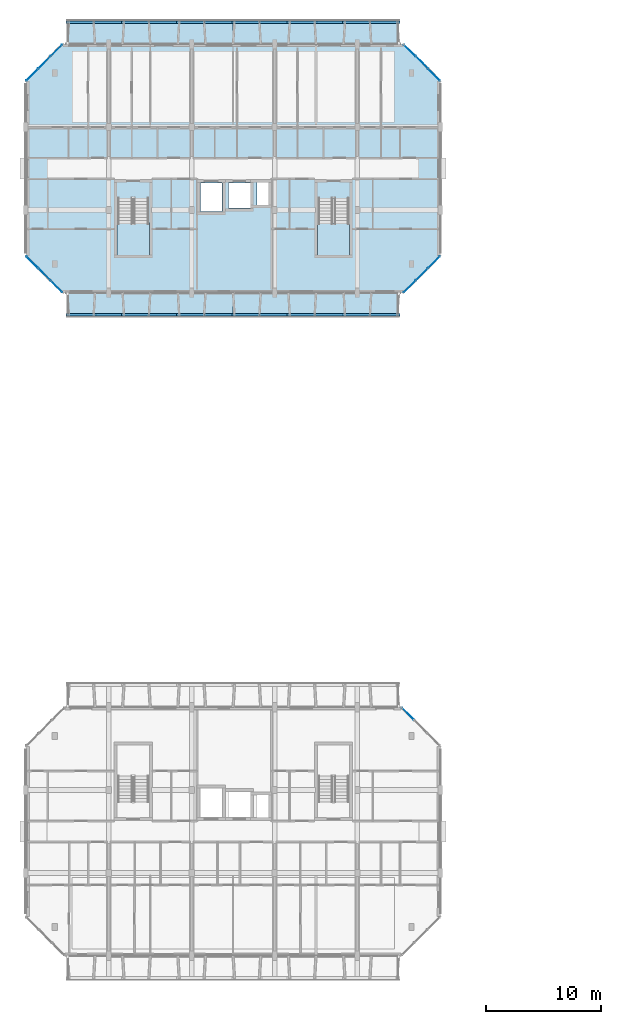
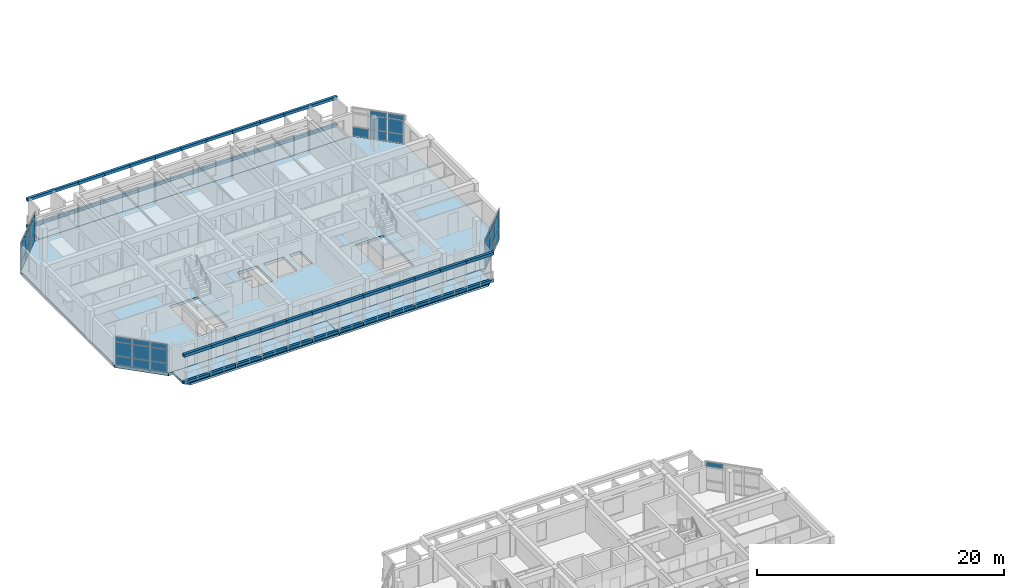
# One storey, part 12 of 46: 83 plates, 7 slabs, 7 elements without a shape of their own.
"""IFC4 building model written with IfcOpenShell, lengths in metres."""

from ifc_helpers import new_model, si_unit, direction, frame, origin, origin_2d, place, context, subcontext, project, spatial, polyline, rectangle, outline, extrude, material, layer, layer_set, type_object, element, aggregate, save


model = new_model("IFC4")

# Units and contexts
model_context = context("Model", 3, precision=1e-05, world=origin(), true_north=direction((0.0, 1.0)))
body_context = subcontext(model_context, "Body", "Model", "MODEL_VIEW")
ifc_project = project(units=[si_unit("LENGTHUNIT", "METRE"), si_unit("AREAUNIT", "SQUARE_METRE"), si_unit("VOLUMEUNIT", "CUBIC_METRE"), si_unit("PLANEANGLEUNIT", "RADIAN"), si_unit("MASSUNIT", "GRAM", prefix="KILO")], contexts=[model_context])

# Site, building, storey
site_placement = place(None, origin())
site = spatial("IfcSite", under=ifc_project, at=site_placement, CompositionType="ELEMENT")
building_placement = place(site_placement, origin())
building = spatial("IfcBuilding", under=site, at=building_placement, Name="Ochrevale Crest", CompositionType="ELEMENT")
storey_placement = place(building_placement, frame((0.0, 0.0, 24.449951171875)))
storey = spatial("IfcBuildingStorey", under=building, at=storey_placement, Name="L07", CompositionType="ELEMENT", Elevation=24.449951171875)

# Curtain wall, plates
ifc_material_1 = material(Name="Anodised aluminium 6063-T5", Category="aluminium")
ifc_layer_1 = layer(ifc_material_1, 0.14990234375)
ifc_layer_set_1 = layer_set([ifc_layer_1], Name="Anodised aluminium 6063-T5")
curtain_wall_type_1 = type_object("IfcCurtainWallType", Name="CW-WG-420x285", PredefinedType="NOTDEFINED", material=ifc_layer_set_1)
curtain_wall_1_placement = place(storey_placement, origin())
curtain_wall_1 = element("IfcCurtainWall", 1, at=curtain_wall_1_placement, inside=storey, type_object=curtain_wall_type_1, Name="Block B L07 chamfered corner wintergarden curtain wall 2", PredefinedType="NOTDEFINED")
ifc_material_2 = material(Name="Double-glazed low-E insulated glass unit", Category="glass")
ifc_layer_2 = layer(ifc_material_2, 0.028076171875)
ifc_layer_set_2 = layer_set([ifc_layer_2], Name="Double-glazed low-E insulated glass unit")
plate_type_1 = type_object("IfcPlateType", Name="CW-PNL-IGU28", PredefinedType="CURTAIN_PANEL", material=ifc_layer_set_2)
plate_1_placement = place(storey_placement, frame((33.3466796875, 72.546630859375, 0.06005859375), z_axis=(0.0, 0.0, 1.0), x_axis=(0.707106781187, 0.707106781187, 0.0)))
plate_1 = element("IfcPlate", 2, at=plate_1_placement, type_object=plate_type_1, Name="CW22 panel 1.1", PredefinedType="CURTAIN_PANEL", context=body_context, shape_type="SweptSolid", body=[
    extrude(rectangle(XDim=1.39599609375, YDim=0.028076171875, at=origin_2d()), origin(), (0.0, 0.0, 1.0), 0.860107421875),
])
plate_2_placement = place(storey_placement, frame((33.3466796875, 72.546630859375, 0.97998046875), z_axis=(0.0, 0.0, 1.0), x_axis=(0.707106781187, 0.707106781187, 0.0)))
plate_2 = element("IfcPlate", 3, at=plate_2_placement, type_object=plate_type_1, Name="CW22 panel 1.2", PredefinedType="CURTAIN_PANEL", context=body_context, shape_type="SweptSolid", body=[
    extrude(rectangle(XDim=1.39599609375, YDim=0.028076171875, at=origin_2d()), origin(), (0.0, 0.0, 1.0), 1.31494140625),
])
plate_3_placement = place(storey_placement, frame((33.3466796875, 72.546630859375, 2.35498046875), z_axis=(0.0, 0.0, 1.0), x_axis=(0.707106781187, 0.707106781187, 0.0)))
plate_3 = element("IfcPlate", 4, at=plate_3_placement, type_object=plate_type_1, Name="CW22 panel 1.3", PredefinedType="CURTAIN_PANEL", context=body_context, shape_type="SweptSolid", body=[
    extrude(rectangle(XDim=1.39599609375, YDim=0.028076171875, at=origin_2d()), origin(), (0.0, 0.0, 1.0), 0.4599609375),
])
plate_4_placement = place(storey_placement, frame((34.39990234375, 73.60009765625, 0.06005859375), z_axis=(0.0, 0.0, 1.0), x_axis=(0.707106781187, 0.707106781187, 0.0)))
plate_4 = element("IfcPlate", 5, at=plate_4_placement, type_object=plate_type_1, Name="CW22 panel 2.1", PredefinedType="CURTAIN_PANEL", context=body_context, shape_type="SweptSolid", body=[
    extrude(rectangle(XDim=1.43359375, YDim=0.028076171875, at=origin_2d()), origin(), (0.0, 0.0, 1.0), 0.860107421875),
])
plate_5_placement = place(storey_placement, frame((34.39990234375, 73.60009765625, 0.97998046875), z_axis=(0.0, 0.0, 1.0), x_axis=(0.707106781187, 0.707106781187, 0.0)))
plate_5 = element("IfcPlate", 6, at=plate_5_placement, type_object=plate_type_1, Name="CW22 panel 2.2", PredefinedType="CURTAIN_PANEL", context=body_context, shape_type="SweptSolid", body=[
    extrude(rectangle(XDim=1.43359375, YDim=0.028076171875, at=origin_2d()), origin(), (0.0, 0.0, 1.0), 1.31494140625),
])
plate_6_placement = place(storey_placement, frame((34.39990234375, 73.60009765625, 2.35498046875), z_axis=(0.0, 0.0, 1.0), x_axis=(0.707106781187, 0.707106781187, 0.0)))
plate_6 = element("IfcPlate", 7, at=plate_6_placement, type_object=plate_type_1, Name="CW22 panel 2.3", PredefinedType="CURTAIN_PANEL", context=body_context, shape_type="SweptSolid", body=[
    extrude(rectangle(XDim=1.43359375, YDim=0.028076171875, at=origin_2d()), origin(), (0.0, 0.0, 1.0), 0.4599609375),
])
plate_7_placement = place(storey_placement, frame((35.453369140625, 74.6533203125, 0.06005859375), z_axis=(0.0, 0.0, 1.0), x_axis=(0.707106781187, 0.707106781187, 0.0)))
plate_7 = element("IfcPlate", 8, at=plate_7_placement, type_object=plate_type_1, Name="CW22 panel 3.1", PredefinedType="CURTAIN_PANEL", context=body_context, shape_type="SweptSolid", body=[
    extrude(rectangle(XDim=1.39599609375, YDim=0.028076171875, at=origin_2d()), origin(), (0.0, 0.0, 1.0), 0.860107421875),
])
plate_8_placement = place(storey_placement, frame((35.453369140625, 74.6533203125, 0.97998046875), z_axis=(0.0, 0.0, 1.0), x_axis=(0.707106781187, 0.707106781187, 0.0)))
plate_8 = element("IfcPlate", 9, at=plate_8_placement, type_object=plate_type_1, Name="CW22 panel 3.2", PredefinedType="CURTAIN_PANEL", context=body_context, shape_type="SweptSolid", body=[
    extrude(rectangle(XDim=1.39599609375, YDim=0.028076171875, at=origin_2d()), origin(), (0.0, 0.0, 1.0), 1.31494140625),
])
plate_9_placement = place(storey_placement, frame((35.453369140625, 74.6533203125, 2.35498046875), z_axis=(0.0, 0.0, 1.0), x_axis=(0.707106781187, 0.707106781187, 0.0)))
plate_9 = element("IfcPlate", 10, at=plate_9_placement, type_object=plate_type_1, Name="CW22 panel 3.3", PredefinedType="CURTAIN_PANEL", context=body_context, shape_type="SweptSolid", body=[
    extrude(rectangle(XDim=1.39599609375, YDim=0.028076171875, at=origin_2d()), origin(), (0.0, 0.0, 1.0), 0.4599609375),
])
aggregate(curtain_wall_1, [plate_1, plate_2, plate_3, plate_4, plate_5, plate_6, plate_7, plate_8, plate_9])

ifc_layer_3 = layer(ifc_material_1, 0.14990234375)
ifc_layer_set_3 = layer_set([ifc_layer_3], Name="Anodised aluminium 6063-T5")
curtain_wall_type_2 = type_object("IfcCurtainWallType", Name="CW-WG-240x285", PredefinedType="NOTDEFINED", material=ifc_layer_set_3)
curtain_wall_2_placement = place(storey_placement, origin())
curtain_wall_2 = element("IfcCurtainWall", 11, at=curtain_wall_2_placement, inside=storey, type_object=curtain_wall_type_2, Name="Block B L07 chamfered corner wintergarden curtain wall 8", PredefinedType="NOTDEFINED")
plate_10_placement = place(storey_placement, frame((0.546630859375, 74.6533203125, 0.06005859375), z_axis=(0.0, 0.0, 1.0), x_axis=(0.707106781187, -0.707106781187, 0.0)))
plate_10 = element("IfcPlate", 12, at=plate_10_placement, type_object=plate_type_1, Name="CW15 panel 1.1", PredefinedType="CURTAIN_PANEL", context=body_context, shape_type="SweptSolid", body=[
    extrude(rectangle(XDim=1.39599609375, YDim=0.028076171875, at=origin_2d()), origin(), (0.0, 0.0, 1.0), 0.860107421875),
])
plate_11_placement = place(storey_placement, frame((0.546630859375, 74.6533203125, 0.97998046875), z_axis=(0.0, 0.0, 1.0), x_axis=(0.707106781187, -0.707106781187, 0.0)))
plate_11 = element("IfcPlate", 13, at=plate_11_placement, type_object=plate_type_1, Name="CW15 panel 1.2", PredefinedType="CURTAIN_PANEL", context=body_context, shape_type="SweptSolid", body=[
    extrude(rectangle(XDim=1.39599609375, YDim=0.028076171875, at=origin_2d()), origin(), (0.0, 0.0, 1.0), 1.31494140625),
])
plate_12_placement = place(storey_placement, frame((0.546630859375, 74.6533203125, 2.35498046875), z_axis=(0.0, 0.0, 1.0), x_axis=(0.707106781187, -0.707106781187, 0.0)))
plate_12 = element("IfcPlate", 14, at=plate_12_placement, type_object=plate_type_1, Name="CW15 panel 1.3", PredefinedType="CURTAIN_PANEL", context=body_context, shape_type="SweptSolid", body=[
    extrude(rectangle(XDim=1.39599609375, YDim=0.028076171875, at=origin_2d()), origin(), (0.0, 0.0, 1.0), 0.4599609375),
])
plate_13_placement = place(storey_placement, frame((1.60009765625, 73.60009765625, 0.06005859375), z_axis=(0.0, 0.0, 1.0), x_axis=(0.707106781187, -0.707106781187, 0.0)))
plate_13 = element("IfcPlate", 15, at=plate_13_placement, type_object=plate_type_1, Name="CW15 panel 2.1", PredefinedType="CURTAIN_PANEL", context=body_context, shape_type="SweptSolid", body=[
    extrude(rectangle(XDim=1.43359375, YDim=0.028076171875, at=origin_2d()), origin(), (0.0, 0.0, 1.0), 0.860107421875),
])
plate_14_placement = place(storey_placement, frame((1.60009765625, 73.60009765625, 0.97998046875), z_axis=(0.0, 0.0, 1.0), x_axis=(0.707106781187, -0.707106781187, 0.0)))
plate_14 = element("IfcPlate", 16, at=plate_14_placement, type_object=plate_type_1, Name="CW15 panel 2.2", PredefinedType="CURTAIN_PANEL", context=body_context, shape_type="SweptSolid", body=[
    extrude(rectangle(XDim=1.43359375, YDim=0.028076171875, at=origin_2d()), origin(), (0.0, 0.0, 1.0), 1.31494140625),
])
plate_15_placement = place(storey_placement, frame((1.60009765625, 73.60009765625, 2.35498046875), z_axis=(0.0, 0.0, 1.0), x_axis=(0.707106781187, -0.707106781187, 0.0)))
plate_15 = element("IfcPlate", 17, at=plate_15_placement, type_object=plate_type_1, Name="CW15 panel 2.3", PredefinedType="CURTAIN_PANEL", context=body_context, shape_type="SweptSolid", body=[
    extrude(rectangle(XDim=1.43359375, YDim=0.028076171875, at=origin_2d()), origin(), (0.0, 0.0, 1.0), 0.4599609375),
])
plate_16_placement = place(storey_placement, frame((2.6533203125, 72.546630859375, 0.06005859375), z_axis=(0.0, 0.0, 1.0), x_axis=(0.707106781187, -0.707106781187, 0.0)))
plate_16 = element("IfcPlate", 18, at=plate_16_placement, type_object=plate_type_1, Name="CW15 panel 3.1", PredefinedType="CURTAIN_PANEL", context=body_context, shape_type="SweptSolid", body=[
    extrude(rectangle(XDim=1.39599609375, YDim=0.028076171875, at=origin_2d()), origin(), (0.0, 0.0, 1.0), 0.860107421875),
])
plate_17_placement = place(storey_placement, frame((2.6533203125, 72.546630859375, 0.97998046875), z_axis=(0.0, 0.0, 1.0), x_axis=(0.707106781187, -0.707106781187, 0.0)))
plate_17 = element("IfcPlate", 19, at=plate_17_placement, type_object=plate_type_1, Name="CW15 panel 3.2", PredefinedType="CURTAIN_PANEL", context=body_context, shape_type="SweptSolid", body=[
    extrude(rectangle(XDim=1.39599609375, YDim=0.028076171875, at=origin_2d()), origin(), (0.0, 0.0, 1.0), 1.31494140625),
])
plate_18_placement = place(storey_placement, frame((2.6533203125, 72.546630859375, 2.35498046875), z_axis=(0.0, 0.0, 1.0), x_axis=(0.707106781187, -0.707106781187, 0.0)))
plate_18 = element("IfcPlate", 20, at=plate_18_placement, type_object=plate_type_1, Name="CW15 panel 3.3", PredefinedType="CURTAIN_PANEL", context=body_context, shape_type="SweptSolid", body=[
    extrude(rectangle(XDim=1.39599609375, YDim=0.028076171875, at=origin_2d()), origin(), (0.0, 0.0, 1.0), 0.4599609375),
])
aggregate(curtain_wall_2, [plate_10, plate_11, plate_12, plate_13, plate_14, plate_15, plate_16, plate_17, plate_18])

# Curtain wall, plate
ifc_layer_4 = layer(ifc_material_1, 0.14990234375)
ifc_layer_set_4 = layer_set([ifc_layer_4], Name="Anodised aluminium 6063-T5")
curtain_wall_type_3 = type_object("IfcCurtainWallType", Name="CW-WG-280x285", PredefinedType="NOTDEFINED", material=ifc_layer_set_4)
curtain_wall_3_placement = place(storey_placement, origin())
curtain_wall_3 = element("IfcCurtainWall", 21, at=curtain_wall_3_placement, inside=storey, type_object=curtain_wall_type_3, Name="Block A L07 chamfered corner wintergarden curtain wall 4", PredefinedType="NOTDEFINED")
ifc_material_3 = material(Name="Acoustic laminated low-E insulated glass unit", Category="glass")
ifc_layer_5 = layer(ifc_material_3, 0.0380859375)
ifc_layer_set_5 = layer_set([ifc_layer_5], Name="Acoustic laminated low-E insulated glass unit")
plate_type_2 = type_object("IfcPlateType", Name="CW-PNL-IGU38", PredefinedType="CURTAIN_PANEL", material=ifc_layer_set_5)
plate_19_placement = place(storey_placement, frame((33.179931640625, 35.420166015625, 2.35498046875), z_axis=(0.0, 0.0, 1.0), x_axis=(-0.707106781187, 0.707106781187, 0.0)))
plate_19 = element("IfcPlate", 22, at=plate_19_placement, type_object=plate_type_2, Name="CW16 panel 3.3", PredefinedType="CURTAIN_PANEL", context=body_context, shape_type="SweptSolid", body=[
    extrude(rectangle(XDim=1.490234375, YDim=0.0380859375, at=origin_2d()), origin(), (0.0, 0.0, 1.0), 0.4599609375),
])
aggregate(curtain_wall_3, [plate_19])

# Curtain wall, plates
curtain_wall_4_placement = place(storey_placement, origin())
curtain_wall_4 = element("IfcCurtainWall", 23, at=curtain_wall_4_placement, inside=storey, type_object=curtain_wall_type_3, Name="Block B L07 chamfered corner wintergarden curtain wall 4", PredefinedType="NOTDEFINED")
plate_20_placement = place(storey_placement, frame((35.453369140625, 90.946533203125, 0.06005859375), z_axis=(0.0, 0.0, 1.0), x_axis=(-0.707106781187, 0.707106781187, 0.0)))
plate_20 = element("IfcPlate", 24, at=plate_20_placement, type_object=plate_type_2, Name="CW16 panel 1.1", PredefinedType="CURTAIN_PANEL", context=body_context, shape_type="SweptSolid", body=[
    extrude(rectangle(XDim=1.39599609375, YDim=0.0380859375, at=origin_2d()), origin(), (0.0, 0.0, 1.0), 0.860107421875),
])
plate_21_placement = place(storey_placement, frame((35.453369140625, 90.946533203125, 0.97998046875), z_axis=(0.0, 0.0, 1.0), x_axis=(-0.707106781187, 0.707106781187, 0.0)))
plate_21 = element("IfcPlate", 25, at=plate_21_placement, type_object=plate_type_2, Name="CW16 panel 1.2", PredefinedType="CURTAIN_PANEL", context=body_context, shape_type="SweptSolid", body=[
    extrude(rectangle(XDim=1.39599609375, YDim=0.0380859375, at=origin_2d()), origin(), (0.0, 0.0, 1.0), 1.31494140625),
])
plate_22_placement = place(storey_placement, frame((35.453369140625, 90.946533203125, 2.35498046875), z_axis=(0.0, 0.0, 1.0), x_axis=(-0.707106781187, 0.707106781187, 0.0)))
plate_22 = element("IfcPlate", 26, at=plate_22_placement, type_object=plate_type_2, Name="CW16 panel 1.3", PredefinedType="CURTAIN_PANEL", context=body_context, shape_type="SweptSolid", body=[
    extrude(rectangle(XDim=1.39599609375, YDim=0.0380859375, at=origin_2d()), origin(), (0.0, 0.0, 1.0), 0.4599609375),
])
plate_23_placement = place(storey_placement, frame((34.39990234375, 92.0, 0.06005859375), z_axis=(0.0, 0.0, 1.0), x_axis=(-0.707106781187, 0.707106781187, 0.0)))
plate_23 = element("IfcPlate", 27, at=plate_23_placement, type_object=plate_type_2, Name="CW16 panel 2.1", PredefinedType="CURTAIN_PANEL", context=body_context, shape_type="SweptSolid", body=[
    extrude(rectangle(XDim=1.43359375, YDim=0.0380859375, at=origin_2d()), origin(), (0.0, 0.0, 1.0), 0.860107421875),
])
plate_24_placement = place(storey_placement, frame((34.39990234375, 92.0, 0.97998046875), z_axis=(0.0, 0.0, 1.0), x_axis=(-0.707106781187, 0.707106781187, 0.0)))
plate_24 = element("IfcPlate", 28, at=plate_24_placement, type_object=plate_type_2, Name="CW16 panel 2.2", PredefinedType="CURTAIN_PANEL", context=body_context, shape_type="SweptSolid", body=[
    extrude(rectangle(XDim=1.43359375, YDim=0.0380859375, at=origin_2d()), origin(), (0.0, 0.0, 1.0), 1.31494140625),
])
plate_25_placement = place(storey_placement, frame((34.39990234375, 92.0, 2.35498046875), z_axis=(0.0, 0.0, 1.0), x_axis=(-0.707106781187, 0.707106781187, 0.0)))
plate_25 = element("IfcPlate", 29, at=plate_25_placement, type_object=plate_type_2, Name="CW16 panel 2.3", PredefinedType="CURTAIN_PANEL", context=body_context, shape_type="SweptSolid", body=[
    extrude(rectangle(XDim=1.43359375, YDim=0.0380859375, at=origin_2d()), origin(), (0.0, 0.0, 1.0), 0.4599609375),
])
plate_26_placement = place(storey_placement, frame((33.3466796875, 93.053466796875, 0.06005859375), z_axis=(0.0, 0.0, 1.0), x_axis=(-0.707106781187, 0.707106781187, 0.0)))
plate_26 = element("IfcPlate", 30, at=plate_26_placement, type_object=plate_type_2, Name="CW16 panel 3.1", PredefinedType="CURTAIN_PANEL", context=body_context, shape_type="SweptSolid", body=[
    extrude(rectangle(XDim=1.39599609375, YDim=0.0380859375, at=origin_2d()), origin(), (0.0, 0.0, 1.0), 0.860107421875),
])
aggregate(curtain_wall_4, [plate_20, plate_21, plate_22, plate_23, plate_24, plate_25, plate_26])

ifc_layer_6 = layer(ifc_material_1, 0.14990234375)
ifc_layer_set_6 = layer_set([ifc_layer_6], Name="Anodised aluminium 6063-T5")
curtain_wall_type_4 = type_object("IfcCurtainWallType", Name="CW-WG-360x285", PredefinedType="NOTDEFINED", material=ifc_layer_set_6)
curtain_wall_5_placement = place(storey_placement, origin())
curtain_wall_5 = element("IfcCurtainWall", 31, at=curtain_wall_5_placement, inside=storey, type_object=curtain_wall_type_4, Name="Block B L07 chamfered corner wintergarden curtain wall 6", PredefinedType="NOTDEFINED")
plate_27_placement = place(storey_placement, frame((2.6533203125, 93.053466796875, 0.06005859375), z_axis=(0.0, 0.0, 1.0), x_axis=(-0.707106781187, -0.707106781187, 0.0)))
plate_27 = element("IfcPlate", 32, at=plate_27_placement, type_object=plate_type_2, Name="CW18 panel 1.1", PredefinedType="CURTAIN_PANEL", context=body_context, shape_type="SweptSolid", body=[
    extrude(rectangle(XDim=1.39599609375, YDim=0.0380859375, at=origin_2d()), origin(), (0.0, 0.0, 1.0), 0.860107421875),
])
plate_28_placement = place(storey_placement, frame((2.6533203125, 93.053466796875, 0.97998046875), z_axis=(0.0, 0.0, 1.0), x_axis=(-0.707106781187, -0.707106781187, 0.0)))
plate_28 = element("IfcPlate", 33, at=plate_28_placement, type_object=plate_type_2, Name="CW18 panel 1.2", PredefinedType="CURTAIN_PANEL", context=body_context, shape_type="SweptSolid", body=[
    extrude(rectangle(XDim=1.39599609375, YDim=0.0380859375, at=origin_2d()), origin(), (0.0, 0.0, 1.0), 1.31494140625),
])
plate_29_placement = place(storey_placement, frame((2.6533203125, 93.053466796875, 2.35498046875), z_axis=(0.0, 0.0, 1.0), x_axis=(-0.707106781187, -0.707106781187, 0.0)))
plate_29 = element("IfcPlate", 34, at=plate_29_placement, type_object=plate_type_2, Name="CW18 panel 1.3", PredefinedType="CURTAIN_PANEL", context=body_context, shape_type="SweptSolid", body=[
    extrude(rectangle(XDim=1.39599609375, YDim=0.0380859375, at=origin_2d()), origin(), (0.0, 0.0, 1.0), 0.4599609375),
])
plate_30_placement = place(storey_placement, frame((1.60009765625, 92.0, 0.06005859375), z_axis=(0.0, 0.0, 1.0), x_axis=(-0.707106781187, -0.707106781187, 0.0)))
plate_30 = element("IfcPlate", 35, at=plate_30_placement, type_object=plate_type_2, Name="CW18 panel 2.1", PredefinedType="CURTAIN_PANEL", context=body_context, shape_type="SweptSolid", body=[
    extrude(rectangle(XDim=1.43359375, YDim=0.0380859375, at=origin_2d()), origin(), (0.0, 0.0, 1.0), 0.860107421875),
])
plate_31_placement = place(storey_placement, frame((1.60009765625, 92.0, 0.97998046875), z_axis=(0.0, 0.0, 1.0), x_axis=(-0.707106781187, -0.707106781187, 0.0)))
plate_31 = element("IfcPlate", 36, at=plate_31_placement, type_object=plate_type_2, Name="CW18 panel 2.2", PredefinedType="CURTAIN_PANEL", context=body_context, shape_type="SweptSolid", body=[
    extrude(rectangle(XDim=1.43359375, YDim=0.0380859375, at=origin_2d()), origin(), (0.0, 0.0, 1.0), 1.31494140625),
])
plate_32_placement = place(storey_placement, frame((1.60009765625, 92.0, 2.35498046875), z_axis=(0.0, 0.0, 1.0), x_axis=(-0.707106781187, -0.707106781187, 0.0)))
plate_32 = element("IfcPlate", 37, at=plate_32_placement, type_object=plate_type_2, Name="CW18 panel 2.3", PredefinedType="CURTAIN_PANEL", context=body_context, shape_type="SweptSolid", body=[
    extrude(rectangle(XDim=1.43359375, YDim=0.0380859375, at=origin_2d()), origin(), (0.0, 0.0, 1.0), 0.4599609375),
])
plate_33_placement = place(storey_placement, frame((0.546630859375, 90.946533203125, 0.06005859375), z_axis=(0.0, 0.0, 1.0), x_axis=(-0.707106781187, -0.707106781187, 0.0)))
plate_33 = element("IfcPlate", 38, at=plate_33_placement, type_object=plate_type_2, Name="CW18 panel 3.1", PredefinedType="CURTAIN_PANEL", context=body_context, shape_type="SweptSolid", body=[
    extrude(rectangle(XDim=1.39599609375, YDim=0.0380859375, at=origin_2d()), origin(), (0.0, 0.0, 1.0), 0.860107421875),
])
plate_34_placement = place(storey_placement, frame((0.546630859375, 90.946533203125, 0.97998046875), z_axis=(0.0, 0.0, 1.0), x_axis=(-0.707106781187, -0.707106781187, 0.0)))
plate_34 = element("IfcPlate", 39, at=plate_34_placement, type_object=plate_type_2, Name="CW18 panel 3.2", PredefinedType="CURTAIN_PANEL", context=body_context, shape_type="SweptSolid", body=[
    extrude(rectangle(XDim=1.39599609375, YDim=0.0380859375, at=origin_2d()), origin(), (0.0, 0.0, 1.0), 1.31494140625),
])
plate_35_placement = place(storey_placement, frame((0.546630859375, 90.946533203125, 2.35498046875), z_axis=(0.0, 0.0, 1.0), x_axis=(-0.707106781187, -0.707106781187, 0.0)))
plate_35 = element("IfcPlate", 40, at=plate_35_placement, type_object=plate_type_2, Name="CW18 panel 3.3", PredefinedType="CURTAIN_PANEL", context=body_context, shape_type="SweptSolid", body=[
    extrude(rectangle(XDim=1.39599609375, YDim=0.0380859375, at=origin_2d()), origin(), (0.0, 0.0, 1.0), 0.4599609375),
])
aggregate(curtain_wall_5, [plate_27, plate_28, plate_29, plate_30, plate_31, plate_32, plate_33, plate_34, plate_35])

# Plates
ifc_material_4 = material(Name="Precast concrete C40/50", Category="concrete")
ifc_layer_7 = layer(ifc_material_4, 0.06005859375)
ifc_layer_set_7 = layer_set([ifc_layer_7], Name="Precast concrete C40/50")
plate_type_3 = type_object("IfcPlateType", Name="PLT-HC-HEAD-60", PredefinedType="USERDEFINED", material=ifc_layer_set_7)
for number, where, z_axis, x_axis, name in (
    (41, (4.800048828125, 70.10009765625, 2.669921875), (0.0, 0.0, 1.0), (1.0, 0.0, 0.0), "Block B L07 S honeycomb arched lintel fascia 1"),
    (42, (7.199951171875, 70.10009765625, 2.669921875), (0.0, 0.0, 1.0), (1.0, 0.0, 0.0), "Block B L07 S honeycomb arched lintel fascia 2"),
    (43, (9.60009765625, 70.10009765625, 2.669921875), (0.0, 0.0, 1.0), (1.0, 0.0, 0.0), "Block B L07 S honeycomb arched lintel fascia 3"),
    (44, (12.0, 70.10009765625, 2.669921875), (0.0, 0.0, 1.0), (1.0, 0.0, 0.0), "Block B L07 S honeycomb arched lintel fascia 4"),
    (45, (14.39990234375, 70.10009765625, 2.669921875), (0.0, 0.0, 1.0), (1.0, 0.0, 0.0), "Block B L07 S honeycomb arched lintel fascia 5"),
    (46, (16.800048828125, 70.10009765625, 2.669921875), (0.0, 0.0, 1.0), (1.0, 0.0, 0.0), "Block B L07 S honeycomb arched lintel fascia 6"),
    (47, (19.199951171875, 70.10009765625, 2.669921875), (0.0, 0.0, 1.0), (1.0, 0.0, 0.0), "Block B L07 S honeycomb arched lintel fascia 7"),
    (48, (21.60009765625, 70.10009765625, 2.669921875), (0.0, 0.0, 1.0), (1.0, 0.0, 0.0), "Block B L07 S honeycomb arched lintel fascia 8"),
    (49, (24.0, 70.10009765625, 2.669921875), (0.0, 0.0, 1.0), (1.0, 0.0, 0.0), "Block B L07 S honeycomb arched lintel fascia 9"),
    (50, (26.39990234375, 70.10009765625, 2.669921875), (0.0, 0.0, 1.0), (1.0, 0.0, 0.0), "Block B L07 S honeycomb arched lintel fascia 10"),
    (51, (28.800048828125, 70.10009765625, 2.669921875), (0.0, 0.0, 1.0), (1.0, 0.0, 0.0), "Block B L07 S honeycomb arched lintel fascia 11"),
    (52, (31.199951171875, 70.10009765625, 2.669921875), (0.0, 0.0, 1.0), (1.0, 0.0, 0.0), "Block B L07 S honeycomb arched lintel fascia 12"),
    (53, (4.800048828125, 95.5, 2.669921875), (0.0, 0.0, 1.0), (1.0, 0.0, 0.0), "Block B L07 N honeycomb arched lintel fascia 1"),
    (54, (7.199951171875, 95.5, 2.669921875), (0.0, 0.0, 1.0), (1.0, 0.0, 0.0), "Block B L07 N honeycomb arched lintel fascia 2"),
    (55, (9.60009765625, 95.5, 2.669921875), (0.0, 0.0, 1.0), (1.0, 0.0, 0.0), "Block B L07 N honeycomb arched lintel fascia 3"),
    (56, (12.0, 95.5, 2.669921875), (0.0, 0.0, 1.0), (1.0, 0.0, 0.0), "Block B L07 N honeycomb arched lintel fascia 4"),
    (57, (14.39990234375, 95.5, 2.669921875), (0.0, 0.0, 1.0), (1.0, 0.0, 0.0), "Block B L07 N honeycomb arched lintel fascia 5"),
    (58, (16.800048828125, 95.5, 2.669921875), (0.0, 0.0, 1.0), (1.0, 0.0, 0.0), "Block B L07 N honeycomb arched lintel fascia 6"),
    (59, (19.199951171875, 95.5, 2.669921875), (0.0, 0.0, 1.0), (1.0, 0.0, 0.0), "Block B L07 N honeycomb arched lintel fascia 7"),
    (60, (21.60009765625, 95.5, 2.669921875), (0.0, 0.0, 1.0), (1.0, 0.0, 0.0), "Block B L07 N honeycomb arched lintel fascia 8"),
    (61, (24.0, 95.5, 2.669921875), (0.0, 0.0, 1.0), (1.0, 0.0, 0.0), "Block B L07 N honeycomb arched lintel fascia 9"),
    (62, (26.39990234375, 95.5, 2.669921875), (0.0, 0.0, 1.0), (1.0, 0.0, 0.0), "Block B L07 N honeycomb arched lintel fascia 10"),
    (63, (28.800048828125, 95.5, 2.669921875), (0.0, 0.0, 1.0), (1.0, 0.0, 0.0), "Block B L07 N honeycomb arched lintel fascia 11"),
    (64, (31.199951171875, 95.5, 2.669921875), (0.0, 0.0, 1.0), (1.0, 0.0, 0.0), "Block B L07 N honeycomb arched lintel fascia 12"),
):
    element("IfcPlate", number, at=place(storey_placement, frame(where, z_axis=z_axis, x_axis=x_axis)), inside=storey, type_object=plate_type_3, Name=name, ObjectType="FACADE FASCIA PLATE", PredefinedType="USERDEFINED", context=body_context, shape_type="SweptSolid", body=[
        extrude(rectangle(XDim=2.60009765625, YDim=0.239990234375, at=origin_2d()), origin(), (0.0, 0.0, 1.0), 0.280029296875),
    ])
ifc_layer_8 = layer(ifc_material_4, 0.044921875)
ifc_layer_set_8 = layer_set([ifc_layer_8], Name="Precast concrete C40/50")
plate_type_4 = type_object("IfcPlateType", Name="PLT-HC-SILL-45", PredefinedType="USERDEFINED", material=ifc_layer_set_8)
for number, where, z_axis, x_axis, name in (
    (65, (4.800048828125, 70.10009765625, 0.0), (0.0, 0.0, 1.0), (1.0, 0.0, 0.0), "Block B L07 S honeycomb sill coping plate 1"),
    (66, (7.199951171875, 70.10009765625, 0.0), (0.0, 0.0, 1.0), (1.0, 0.0, 0.0), "Block B L07 S honeycomb sill coping plate 2"),
    (67, (9.60009765625, 70.10009765625, 0.0), (0.0, 0.0, 1.0), (1.0, 0.0, 0.0), "Block B L07 S honeycomb sill coping plate 3"),
    (68, (12.0, 70.10009765625, 0.0), (0.0, 0.0, 1.0), (1.0, 0.0, 0.0), "Block B L07 S honeycomb sill coping plate 4"),
    (69, (14.39990234375, 70.10009765625, 0.0), (0.0, 0.0, 1.0), (1.0, 0.0, 0.0), "Block B L07 S honeycomb sill coping plate 5"),
    (70, (16.800048828125, 70.10009765625, 0.0), (0.0, 0.0, 1.0), (1.0, 0.0, 0.0), "Block B L07 S honeycomb sill coping plate 6"),
    (71, (19.199951171875, 70.10009765625, 0.0), (0.0, 0.0, 1.0), (1.0, 0.0, 0.0), "Block B L07 S honeycomb sill coping plate 7"),
    (72, (21.60009765625, 70.10009765625, 0.0), (0.0, 0.0, 1.0), (1.0, 0.0, 0.0), "Block B L07 S honeycomb sill coping plate 8"),
    (73, (24.0, 70.10009765625, 0.0), (0.0, 0.0, 1.0), (1.0, 0.0, 0.0), "Block B L07 S honeycomb sill coping plate 9"),
    (74, (26.39990234375, 70.10009765625, 0.0), (0.0, 0.0, 1.0), (1.0, 0.0, 0.0), "Block B L07 S honeycomb sill coping plate 10"),
    (75, (28.800048828125, 70.10009765625, 0.0), (0.0, 0.0, 1.0), (1.0, 0.0, 0.0), "Block B L07 S honeycomb sill coping plate 11"),
    (76, (31.199951171875, 70.10009765625, 0.0), (0.0, 0.0, 1.0), (1.0, 0.0, 0.0), "Block B L07 S honeycomb sill coping plate 12"),
    (77, (4.800048828125, 95.5, 0.0), (0.0, 0.0, 1.0), (1.0, 0.0, 0.0), "Block B L07 N honeycomb sill coping plate 1"),
    (78, (7.199951171875, 95.5, 0.0), (0.0, 0.0, 1.0), (1.0, 0.0, 0.0), "Block B L07 N honeycomb sill coping plate 2"),
    (79, (9.60009765625, 95.5, 0.0), (0.0, 0.0, 1.0), (1.0, 0.0, 0.0), "Block B L07 N honeycomb sill coping plate 3"),
    (80, (12.0, 95.5, 0.0), (0.0, 0.0, 1.0), (1.0, 0.0, 0.0), "Block B L07 N honeycomb sill coping plate 4"),
    (81, (14.39990234375, 95.5, 0.0), (0.0, 0.0, 1.0), (1.0, 0.0, 0.0), "Block B L07 N honeycomb sill coping plate 5"),
    (82, (16.800048828125, 95.5, 0.0), (0.0, 0.0, 1.0), (1.0, 0.0, 0.0), "Block B L07 N honeycomb sill coping plate 6"),
    (83, (19.199951171875, 95.5, 0.0), (0.0, 0.0, 1.0), (1.0, 0.0, 0.0), "Block B L07 N honeycomb sill coping plate 7"),
    (84, (21.60009765625, 95.5, 0.0), (0.0, 0.0, 1.0), (1.0, 0.0, 0.0), "Block B L07 N honeycomb sill coping plate 8"),
    (85, (24.0, 95.5, 0.0), (0.0, 0.0, 1.0), (1.0, 0.0, 0.0), "Block B L07 N honeycomb sill coping plate 9"),
    (86, (26.39990234375, 95.5, 0.0), (0.0, 0.0, 1.0), (1.0, 0.0, 0.0), "Block B L07 N honeycomb sill coping plate 10"),
    (87, (28.800048828125, 95.5, 0.0), (0.0, 0.0, 1.0), (1.0, 0.0, 0.0), "Block B L07 N honeycomb sill coping plate 11"),
    (88, (31.199951171875, 95.5, 0.0), (0.0, 0.0, 1.0), (1.0, 0.0, 0.0), "Block B L07 N honeycomb sill coping plate 12"),
):
    element("IfcPlate", number, at=place(storey_placement, frame(where, z_axis=z_axis, x_axis=x_axis)), inside=storey, type_object=plate_type_4, Name=name, ObjectType="SILL COPING PLATE", PredefinedType="USERDEFINED", context=body_context, shape_type="SweptSolid", body=[
        extrude(rectangle(XDim=2.60009765625, YDim=0.219970703125, at=origin_2d()), origin(), (0.0, 0.0, 1.0), 0.260009765625),
    ])

# Slabs
ifc_layer_9 = layer(ifc_material_4, 0.199951171875)
ifc_layer_set_9 = layer_set([ifc_layer_9], Name="Precast concrete C40/50")
slab_type_1 = type_object("IfcSlabType", Name="SLB-BAL-200", PredefinedType="FLOOR", material=ifc_layer_set_9)
slab_1_placement = place(storey_placement, frame((0.0, 0.0, -0.199951171875)))
element("IfcSlab", 89, at=slab_1_placement, inside=storey, type_object=slab_type_1, Name="Block B L07 S1 precast loggia balcony slab", PredefinedType="FLOOR", context=body_context, shape_type="SweptSolid", body=[
    extrude(outline(polyline([(4.050048828125, 69.89990234375), (18.0, 69.89990234375), (18.0, 72.0), (3.60009765625, 72.0), (3.60009765625, 70.35009765625), (4.050048828125, 69.89990234375)])), origin(), (0.0, 0.0, 1.0), 0.199951171875),
])
slab_2_placement = place(storey_placement, frame((0.0, 0.0, -0.199951171875)))
element("IfcSlab", 90, at=slab_2_placement, inside=storey, type_object=slab_type_1, Name="Block B L07 S2 precast loggia balcony slab", PredefinedType="FLOOR", context=body_context, shape_type="SweptSolid", body=[
    extrude(outline(polyline([(18.0, 69.89990234375), (31.949951171875, 69.89990234375), (32.39990234375, 70.35009765625), (32.39990234375, 72.0), (18.0, 72.0), (18.0, 69.89990234375)])), origin(), (0.0, 0.0, 1.0), 0.199951171875),
])
slab_3_placement = place(storey_placement, frame((0.0, 0.0, -0.199951171875)))
element("IfcSlab", 91, at=slab_3_placement, inside=storey, type_object=slab_type_1, Name="Block B L07 N1 precast loggia balcony slab", PredefinedType="FLOOR", context=body_context, shape_type="SweptSolid", body=[
    extrude(outline(polyline([(3.60009765625, 93.60009765625), (18.0, 93.60009765625), (18.0, 95.699951171875), (4.050048828125, 95.699951171875), (3.60009765625, 95.25), (3.60009765625, 93.60009765625)])), origin(), (0.0, 0.0, 1.0), 0.199951171875),
])
slab_4_placement = place(storey_placement, frame((0.0, 0.0, -0.199951171875)))
element("IfcSlab", 92, at=slab_4_placement, inside=storey, type_object=slab_type_1, Name="Block B L07 N2 precast loggia balcony slab", PredefinedType="FLOOR", context=body_context, shape_type="SweptSolid", body=[
    extrude(outline(polyline([(18.0, 93.60009765625), (32.39990234375, 93.60009765625), (32.39990234375, 95.25), (31.949951171875, 95.699951171875), (18.0, 95.699951171875), (18.0, 93.60009765625)])), origin(), (0.0, 0.0, 1.0), 0.199951171875),
])
ifc_layer_10 = layer(ifc_material_4, 0.27490234375)
ifc_layer_set_10 = layer_set([ifc_layer_10], Name="Precast concrete C40/50")
slab_type_2 = type_object("IfcSlabType", Name="SLB-RES-275", PredefinedType="FLOOR", material=ifc_layer_set_10)
slab_5_placement = place(storey_placement, frame((0.0, 0.0, -0.27490234375)))
element("IfcSlab", 93, at=slab_5_placement, inside=storey, type_object=slab_type_2, Name="Block B L07 composite hollowcore floor slab", PredefinedType="FLOOR", context=body_context, shape_type="SweptSolid", body=[
    extrude(outline(polyline([(3.199951171875, 72.0), (32.800048828125, 72.0), (36.0, 75.199951171875), (36.0, 90.39990234375), (32.800048828125, 93.60009765625), (3.199951171875, 93.60009765625), (0.0, 90.39990234375), (0.0, 75.199951171875), (3.199951171875, 72.0)]), holes=[polyline([(8.0, 80.175048828125), (8.0, 75.27490234375), (10.64990234375, 75.27490234375), (10.64990234375, 80.175048828125), (8.0, 80.175048828125)]), polyline([(25.39990234375, 80.175048828125), (25.39990234375, 75.27490234375), (28.050048828125, 75.27490234375), (28.050048828125, 80.175048828125), (25.39990234375, 80.175048828125)]), polyline([(15.14990234375, 79.050048828125), (17.050048828125, 79.050048828125), (17.050048828125, 81.550048828125), (15.14990234375, 81.550048828125), (15.14990234375, 79.050048828125)]), polyline([(17.60009765625, 79.35009765625), (19.5, 79.35009765625), (19.5, 81.550048828125), (17.60009765625, 81.550048828125), (17.60009765625, 79.35009765625)]), polyline([(20.070068359375, 79.6201171875), (21.080078125, 79.6201171875), (21.080078125, 81.580078125), (20.070068359375, 81.580078125), (20.070068359375, 79.6201171875)])]), origin(), (0.0, 0.0, 1.0), 0.27490234375),
])

# Stair, slab
stair_type = type_object("IfcStairType", Name="ST-CORE-DOG", PredefinedType="HALF_TURN_STAIR", material=ifc_material_4)
stair_1_placement = place(storey_placement, origin())
stair_1 = element("IfcStair", 94, at=stair_1_placement, inside=storey, type_object=stair_type, Name="L07 Block B Fire Stair 1", PredefinedType="HALF_TURN_STAIR")
ifc_layer_11 = layer(ifc_material_4, 0.199951171875)
ifc_layer_set_11 = layer_set([ifc_layer_11], Name="Precast concrete C40/50")
slab_type_3 = type_object("IfcSlabType", Name="SLB-ST-LAND", PredefinedType="LANDING", material=ifc_layer_set_11)
slab_6_placement = place(storey_placement, frame((0.0, 0.0, 1.375)))
slab_6 = element("IfcSlab", 95, at=slab_6_placement, type_object=slab_type_3, Name="ST-B1 landing 1", PredefinedType="LANDING", context=body_context, shape_type="SweptSolid", body=[
    extrude(outline(polyline([(7.919921875, 78.06494140625), (7.919921875, 75.195068359375), (10.72998046875, 75.195068359375), (10.72998046875, 78.06494140625), (7.919921875, 78.06494140625)])), origin(), (0.0, 0.0, 1.0), 0.199951171875),
])
aggregate(stair_1, [slab_6])

stair_2_placement = place(storey_placement, origin())
stair_2 = element("IfcStair", 96, at=stair_2_placement, inside=storey, type_object=stair_type, Name="L07 Block B Fire Stair 2", PredefinedType="HALF_TURN_STAIR")
slab_7_placement = place(storey_placement, frame((0.0, 0.0, 1.375)))
slab_7 = element("IfcSlab", 97, at=slab_7_placement, type_object=slab_type_3, Name="ST-B2 landing 1", PredefinedType="LANDING", context=body_context, shape_type="SweptSolid", body=[
    extrude(outline(polyline([(25.320068359375, 78.06494140625), (25.320068359375, 75.195068359375), (28.1298828125, 75.195068359375), (28.1298828125, 78.06494140625), (25.320068359375, 78.06494140625)])), origin(), (0.0, 0.0, 1.0), 0.199951171875),
])
aggregate(stair_2, [slab_7])

save(model, "model.ifc")
